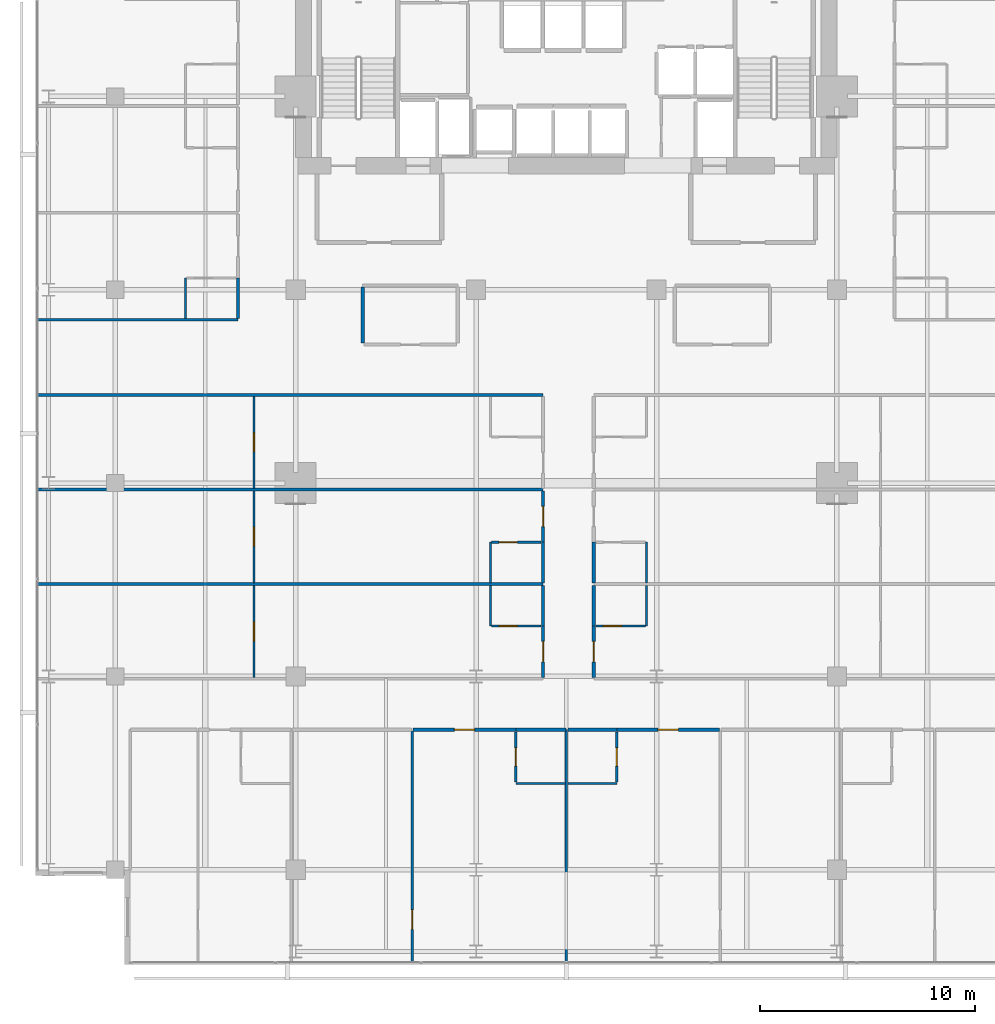
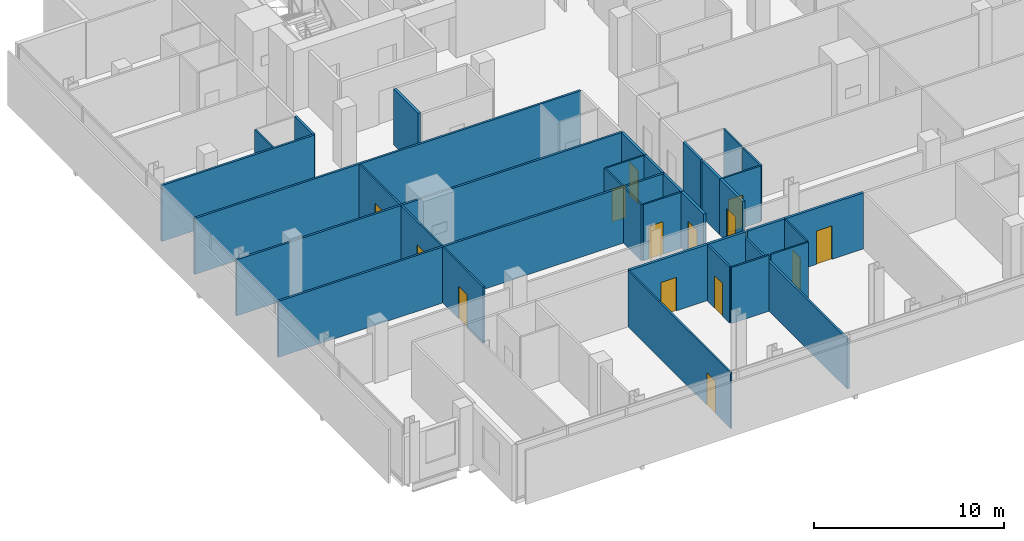
# One storey, part 27 of 34: 34 walls, 14 doors, 14 openings.
"""IFC4 building model written with IfcOpenShell, lengths in metres."""

from ifc_helpers import new_model, si_unit, direction, frame, frame_2d, origin, place, context, subcontext, project, spatial, rectangle, extrude, material, layer, layer_set, type_object, element, fill, save


model = new_model("IFC4")

# Units and contexts
model_context = context("Model", 3, precision=1e-05, world=origin(), true_north=direction((0.0, 1.0)))
body_context = subcontext(model_context, "Body", "Model", "MODEL_VIEW")
ifc_project = project(units=[si_unit("LENGTHUNIT", "METRE"), si_unit("AREAUNIT", "SQUARE_METRE"), si_unit("VOLUMEUNIT", "CUBIC_METRE"), si_unit("PLANEANGLEUNIT", "RADIAN"), si_unit("MASSUNIT", "GRAM", prefix="KILO")], contexts=[model_context])

# Site, building, storey
site_placement = place(None, origin())
site = spatial("IfcSite", under=ifc_project, at=site_placement, CompositionType="ELEMENT")
building_placement = place(site_placement, origin())
building = spatial("IfcBuilding", under=site, at=building_placement, Name="Maruvema Waterfront Hotel and Observation Tower", CompositionType="ELEMENT")
storey_placement = place(building_placement, frame((0.0, 0.0, 212.10009765625)))
storey = spatial("IfcBuildingStorey", under=building, at=storey_placement, Name="L52", CompositionType="ELEMENT", Elevation=212.10009765625)

# Walls
ifc_material_1 = material(Name="Twin-stud acoustic gypsum drywall", Category="gypsum")
ifc_layer_1 = layer(ifc_material_1, 0.14990234375, Name="Acoustic Corridor and Suite Demising Wall 150 mm")
ifc_layer_set_1 = layer_set([ifc_layer_1], Name="Twin-stud acoustic gypsum drywall")
wall_type_1 = type_object("IfcWallType", Name="Acoustic Corridor and Suite Demising Wall 150 mm", PredefinedType="PARTITIONING", material=ifc_layer_set_1)
wall_1_placement = place(storey_placement, frame((28.320068359375, 33.530029296875, 0.0), z_axis=(0.0, 0.0, 1.0), x_axis=(0.0, 1.0, 0.0)))
element("IfcWall", 1, at=wall_1_placement, inside=storey, type_object=wall_type_1, Name="L52 L52-M1 West Wall 018", PredefinedType="PARTITIONING", context=body_context, shape_type="SweptSolid", body=[
    extrude(rectangle(XDim=2.590087890625, YDim=0.14990234375, at=frame_2d((1.294921875, 0.0))), origin(), (0.0, 0.0, 1.0), 3.60986328125),
])
wall_2_placement = place(storey_placement, frame((35.449951171875, 15.52001953125, 0.0), z_axis=(0.0, 0.0, 1.0), x_axis=(1.0, 0.0, 0.0)))
element("IfcWall", 2, at=wall_2_placement, inside=storey, type_object=wall_type_1, Name="L52 Bath L52-S2 Back Wall 034", PredefinedType="PARTITIONING", context=body_context, shape_type="SweptSolid", body=[
    extrude(rectangle(XDim=2.330078125, YDim=0.14990234375, at=frame_2d((1.1650390625, 0.0))), origin(), (0.0, 0.0, 1.0), 3.60986328125),
])

# Wall, opening, door
wall_3_placement = place(storey_placement, frame((30.672119140625, 15.52001953125, 0.0), z_axis=(0.0, 0.0, 1.0), x_axis=(1.0, 0.0, 0.0)))
wall_3 = element("IfcWall", 3, at=wall_3_placement, inside=storey, type_object=wall_type_1, Name="L52 Unit L52-S2 Corridor Wall 038", PredefinedType="PARTITIONING", context=body_context, shape_type="SweptSolid", body=[
    extrude(rectangle(XDim=4.77783203125, YDim=0.14990234375, at=frame_2d((2.388916015625, 0.0))), origin(), (0.0, 0.0, 1.0), 3.60986328125),
])
opening_1_placement = place(wall_3_placement, frame((1.9140625, 0.0, 0.0)))
opening_1 = element("IfcOpeningElement", 4, at=opening_1_placement, cuts=wall_3, Name="Opening DR-095", PredefinedType="OPENING", context=body_context, shape_type="SweptSolid", body=[
    extrude(rectangle(XDim=0.949951171875, YDim=2.14990234375, at=frame_2d((0.47509765625, 1.074951171875))), frame((0.0, 0.0849609375, 0.0), z_axis=(0.0, -1.0, 0.0), x_axis=(1.0, 0.0, 0.0)), (0.0, 0.0, 1.0), 0.169921875),
])
ifc_material_2 = material(Name="Acoustic solid-core hardwood timber leaf", Category="wood")
door_type_1 = type_object("IfcDoorType", Name="Guestroom Entrance Fire Door 950x2150 mm", OperationType="NOTDEFINED", PredefinedType="DOOR", material=ifc_material_2)
door_1_placement = place(opening_1_placement, frame((0.949951171875, 0.0, 0.0), z_axis=(0.0, 0.0, 1.0), x_axis=(-1.0, 0.0, 0.0)))
door_1 = element("IfcDoor", 5, at=door_1_placement, inside=storey, type_object=door_type_1, Name="L52 Unit L52-S2 Entrance Door", OperationType="SINGLE_SWING_LEFT", OverallHeight=2.14990234375, OverallWidth=0.949951171875, PredefinedType="DOOR", context=body_context, shape_type="SweptSolid", body=[
    extrude(rectangle(XDim=0.949951171875, YDim=2.14990234375, at=frame_2d((0.47509765625, 1.074951171875))), frame((0.0, 0.02490234375, 0.0), z_axis=(0.0, -1.0, 0.0), x_axis=(1.0, 0.0, 0.0)), (0.0, 0.0, 1.0), 0.050048828125),
])
fill(opening_1, door_1)

# Wall
wall_4_placement = place(storey_placement, frame((37.8798828125, 15.52001953125, 0.0), z_axis=(0.0, 0.0, 1.0), x_axis=(1.0, 0.0, 0.0)))
element("IfcWall", 6, at=wall_4_placement, inside=storey, type_object=wall_type_1, Name="L52 Bath L52-S3 Back Wall 041", PredefinedType="PARTITIONING", context=body_context, shape_type="SweptSolid", body=[
    extrude(rectangle(XDim=2.27001953125, YDim=0.14990234375, at=frame_2d((1.135009765625, 0.0))), origin(), (0.0, 0.0, 1.0), 3.60986328125),
])

# Wall, opening, door
wall_5_placement = place(storey_placement, frame((40.14990234375, 15.52001953125, 0.0), z_axis=(0.0, 0.0, 1.0), x_axis=(1.0, 0.0, 0.0)))
wall_5 = element("IfcWall", 7, at=wall_5_placement, inside=storey, type_object=wall_type_1, Name="L52 Unit L52-S3 Corridor Wall 044", PredefinedType="PARTITIONING", context=body_context, shape_type="SweptSolid", body=[
    extrude(rectangle(XDim=4.778076171875, YDim=0.14990234375, at=frame_2d((2.38916015625, 0.0))), origin(), (0.0, 0.0, 1.0), 3.60986328125),
])
opening_2_placement = place(wall_5_placement, frame((1.9140625, 0.0, 0.0)))
opening_2 = element("IfcOpeningElement", 8, at=opening_2_placement, cuts=wall_5, Name="Opening DR-095", PredefinedType="OPENING", context=body_context, shape_type="SweptSolid", body=[
    extrude(rectangle(XDim=0.949951171875, YDim=2.14990234375, at=frame_2d((0.47509765625, 1.074951171875))), frame((0.0, 0.0849609375, 0.0), z_axis=(0.0, -1.0, 0.0), x_axis=(1.0, 0.0, 0.0)), (0.0, 0.0, 1.0), 0.169921875),
])
door_2_placement = place(opening_2_placement, frame((0.949951171875, 0.0, 0.0), z_axis=(0.0, 0.0, 1.0), x_axis=(-1.0, 0.0, 0.0)))
door_2 = element("IfcDoor", 9, at=door_2_placement, inside=storey, type_object=door_type_1, Name="L52 Unit L52-S3 Entrance Door", OperationType="SINGLE_SWING_RIGHT", OverallHeight=2.14990234375, OverallWidth=0.949951171875, PredefinedType="DOOR", context=body_context, shape_type="SweptSolid", body=[
    extrude(rectangle(XDim=0.949951171875, YDim=2.14990234375, at=frame_2d((0.47509765625, 1.074951171875))), frame((0.0, 0.02490234375, 0.0), z_axis=(0.0, -1.0, 0.0), x_axis=(1.0, 0.0, 0.0)), (0.0, 0.0, 1.0), 0.050048828125),
])
fill(opening_2, door_2)

wall_6_placement = place(storey_placement, frame((36.719970703125, 17.9599609375, 0.0), z_axis=(0.0, 0.0, 1.0), x_axis=(0.0, 1.0, 0.0)))
wall_6 = element("IfcWall", 10, at=wall_6_placement, inside=storey, type_object=wall_type_1, Name="L52 Room L52-W1 Corridor Wall 058", PredefinedType="PARTITIONING", context=body_context, shape_type="SweptSolid", body=[
    extrude(rectangle(XDim=2.39013671875, YDim=0.14990234375, at=frame_2d((1.195068359375, 0.0))), origin(), (0.0, 0.0, 1.0), 3.60986328125),
])
opening_3_placement = place(wall_6_placement, frame((0.719970703125, 0.0, 0.0)))
opening_3 = element("IfcOpeningElement", 11, at=opening_3_placement, cuts=wall_6, Name="Opening DR-095", PredefinedType="OPENING", context=body_context, shape_type="SweptSolid", body=[
    extrude(rectangle(XDim=0.949951171875, YDim=2.14990234375, at=frame_2d((0.47509765625, 1.074951171875))), frame((0.0, 0.0849609375, 0.0), z_axis=(0.0, -1.0, 0.0), x_axis=(1.0, 0.0, 0.0)), (0.0, 0.0, 1.0), 0.169921875),
])
door_3_placement = place(opening_3_placement, origin())
door_3 = element("IfcDoor", 12, at=door_3_placement, inside=storey, type_object=door_type_1, Name="L52 Room L52-W1 Entrance Door", OperationType="SINGLE_SWING_RIGHT", OverallHeight=2.14990234375, OverallWidth=0.949951171875, PredefinedType="DOOR", context=body_context, shape_type="SweptSolid", body=[
    extrude(rectangle(XDim=0.949951171875, YDim=2.14990234375, at=frame_2d((0.47509765625, 1.074951171875))), frame((0.0, 0.02490234375, 0.0), z_axis=(0.0, -1.0, 0.0), x_axis=(1.0, 0.0, 0.0)), (0.0, 0.0, 1.0), 0.050048828125),
])
fill(opening_3, door_3)

# Wall
wall_7_placement = place(storey_placement, frame((36.719970703125, 20.35009765625, 0.0), z_axis=(0.0, 0.0, 1.0), x_axis=(0.0, 1.0, 0.0)))
element("IfcWall", 13, at=wall_7_placement, inside=storey, type_object=wall_type_1, Name="L52 Bath L52-W1 Wall 059", PredefinedType="PARTITIONING", context=body_context, shape_type="SweptSolid", body=[
    extrude(rectangle(XDim=1.889892578125, YDim=0.14990234375, at=frame_2d((0.94482421875, 0.0))), origin(), (0.0, 0.0, 1.0), 3.60986328125),
])

# Wall, opening, door
wall_8_placement = place(storey_placement, frame((39.080078125, 17.9599609375, 0.0), z_axis=(0.0, 0.0, 1.0), x_axis=(0.0, 1.0, 0.0)))
wall_8 = element("IfcWall", 14, at=wall_8_placement, inside=storey, type_object=wall_type_1, Name="L52 Room L52-E1 Corridor Wall 063", PredefinedType="PARTITIONING", context=body_context, shape_type="SweptSolid", body=[
    extrude(rectangle(XDim=2.39013671875, YDim=0.14990234375, at=frame_2d((1.195068359375, 0.0))), origin(), (0.0, 0.0, 1.0), 3.60986328125),
])
opening_4_placement = place(wall_8_placement, frame((0.719970703125, 0.0, 0.0)))
opening_4 = element("IfcOpeningElement", 15, at=opening_4_placement, cuts=wall_8, Name="Opening DR-095", PredefinedType="OPENING", context=body_context, shape_type="SweptSolid", body=[
    extrude(rectangle(XDim=0.949951171875, YDim=2.14990234375, at=frame_2d((0.47509765625, 1.074951171875))), frame((0.0, 0.0849609375, 0.0), z_axis=(0.0, -1.0, 0.0), x_axis=(1.0, 0.0, 0.0)), (0.0, 0.0, 1.0), 0.169921875),
])
door_4_placement = place(opening_4_placement, frame((0.949951171875, 0.0, 0.0), z_axis=(0.0, 0.0, 1.0), x_axis=(-1.0, 0.0, 0.0)))
door_4 = element("IfcDoor", 16, at=door_4_placement, inside=storey, type_object=door_type_1, Name="L52 Room L52-E1 Entrance Door", OperationType="SINGLE_SWING_LEFT", OverallHeight=2.14990234375, OverallWidth=0.949951171875, PredefinedType="DOOR", context=body_context, shape_type="SweptSolid", body=[
    extrude(rectangle(XDim=0.949951171875, YDim=2.14990234375, at=frame_2d((0.47509765625, 1.074951171875))), frame((0.0, 0.02490234375, 0.0), z_axis=(0.0, -1.0, 0.0), x_axis=(1.0, 0.0, 0.0)), (0.0, 0.0, 1.0), 0.050048828125),
])
fill(opening_4, door_4)

# Walls
for number, where, z_axis, x_axis, name in (
    (17, (39.080078125, 20.35009765625, 0.0), (0.0, 0.0, 1.0), (0.0, 1.0, 0.0), "L52 Bath L52-E1 Wall 064"),
    (18, (36.719970703125, 22.360107421875, 0.0), (0.0, 0.0, 1.0), (0.0, 1.0, 0.0), "L52 Bath L52-W2 Wall 070"),
):
    element("IfcWall", number, at=place(storey_placement, frame(where, z_axis=z_axis, x_axis=x_axis)), inside=storey, type_object=wall_type_1, Name=name, PredefinedType="PARTITIONING", context=body_context, shape_type="SweptSolid", body=[
        extrude(rectangle(XDim=1.889892578125, YDim=0.14990234375, at=frame_2d((0.94482421875, 0.0))), origin(), (0.0, 0.0, 1.0), 3.60986328125),
    ])

# Wall, opening, door
wall_9_placement = place(storey_placement, frame((36.719970703125, 24.25, 0.0), z_axis=(0.0, 0.0, 1.0), x_axis=(0.0, 1.0, 0.0)))
wall_9 = element("IfcWall", 19, at=wall_9_placement, inside=storey, type_object=wall_type_1, Name="L52 Room L52-W2 Corridor Wall 071", PredefinedType="PARTITIONING", context=body_context, shape_type="SweptSolid", body=[
    extrude(rectangle(XDim=2.389892578125, YDim=0.14990234375, at=frame_2d((1.19482421875, 0.0))), origin(), (0.0, 0.0, 1.0), 3.60986328125),
])
opening_5_placement = place(wall_9_placement, frame((0.719970703125, 0.0, 0.0)))
opening_5 = element("IfcOpeningElement", 20, at=opening_5_placement, cuts=wall_9, Name="Opening DR-095", PredefinedType="OPENING", context=body_context, shape_type="SweptSolid", body=[
    extrude(rectangle(XDim=0.949951171875, YDim=2.14990234375, at=frame_2d((0.47509765625, 1.074951171875))), frame((0.0, 0.0849609375, 0.0), z_axis=(0.0, -1.0, 0.0), x_axis=(1.0, 0.0, 0.0)), (0.0, 0.0, 1.0), 0.169921875),
])
door_5_placement = place(opening_5_placement, origin())
door_5 = element("IfcDoor", 21, at=door_5_placement, inside=storey, type_object=door_type_1, Name="L52 Room L52-W2 Entrance Door", OperationType="SINGLE_SWING_RIGHT", OverallHeight=2.14990234375, OverallWidth=0.949951171875, PredefinedType="DOOR", context=body_context, shape_type="SweptSolid", body=[
    extrude(rectangle(XDim=0.949951171875, YDim=2.14990234375, at=frame_2d((0.47509765625, 1.074951171875))), frame((0.0, 0.02490234375, 0.0), z_axis=(0.0, -1.0, 0.0), x_axis=(1.0, 0.0, 0.0)), (0.0, 0.0, 1.0), 0.050048828125),
])
fill(opening_5, door_5)

# Walls
wall_10_placement = place(storey_placement, frame((39.080078125, 22.360107421875, 0.0), z_axis=(0.0, 0.0, 1.0), x_axis=(0.0, 1.0, 0.0)))
element("IfcWall", 22, at=wall_10_placement, inside=storey, type_object=wall_type_1, Name="L52 Bath L52-E2 Wall 075", PredefinedType="PARTITIONING", context=body_context, shape_type="SweptSolid", body=[
    extrude(rectangle(XDim=1.889892578125, YDim=0.14990234375, at=frame_2d((0.94482421875, 0.0))), origin(), (0.0, 0.0, 1.0), 3.60986328125),
])
wall_11_placement = place(storey_placement, frame((22.52001953125, 34.659912109375, 0.0), z_axis=(0.0, 0.0, 1.0), x_axis=(0.0, 1.0, 0.0)))
element("IfcWall", 23, at=wall_11_placement, inside=storey, type_object=wall_type_1, Name="L52 Bath L52-NW1 Wall 096", PredefinedType="PARTITIONING", context=body_context, shape_type="SweptSolid", body=[
    extrude(rectangle(XDim=1.89013671875, YDim=0.14990234375, at=frame_2d((0.945068359375, 0.0))), origin(), (0.0, 0.0, 1.0), 3.60986328125),
])
ifc_material_3 = material(Name="Moisture-resistant cement-board drywall", Category="gypsum")
ifc_layer_2 = layer(ifc_material_3, 0.10009765625, Name="En-Suite Moisture-Resistant Partition 100 mm")
ifc_layer_set_2 = layer_set([ifc_layer_2], Name="Moisture-resistant cement-board drywall")
wall_type_2 = type_object("IfcWallType", Name="En-Suite Moisture-Resistant Partition 100 mm", PredefinedType="PARTITIONING", material=ifc_layer_set_2)
wall_12_placement = place(storey_placement, frame((35.449951171875, 13.02001953125, 0.0), z_axis=(0.0, 0.0, 1.0), x_axis=(1.0, 0.0, 0.0)))
element("IfcWall", 24, at=wall_12_placement, inside=storey, type_object=wall_type_2, Name="L52 En-Suite L52-S2 South 035", PredefinedType="PARTITIONING", context=body_context, shape_type="SweptSolid", body=[
    extrude(rectangle(XDim=2.31005859375, YDim=0.10009765625, at=frame_2d((1.155029296875, 0.0))), origin(), (0.0, 0.0, 1.0), 3.60986328125),
])

# Wall, opening, door
wall_13_placement = place(storey_placement, frame((35.449951171875, 13.080078125, 0.0), z_axis=(0.0, 0.0, 1.0), x_axis=(0.0, 1.0, 0.0)))
wall_13 = element("IfcWall", 25, at=wall_13_placement, inside=storey, type_object=wall_type_2, Name="L52 En-Suite L52-S2 West 036", PredefinedType="PARTITIONING", context=body_context, shape_type="SweptSolid", body=[
    extrude(rectangle(XDim=2.33984375, YDim=0.10009765625, at=frame_2d((1.169921875, 0.0))), origin(), (0.0, 0.0, 1.0), 3.60986328125),
])
opening_6_placement = place(wall_13_placement, frame((0.7451171875, 0.0, 0.0)))
opening_6 = element("IfcOpeningElement", 26, at=opening_6_placement, cuts=wall_13, Name="Opening DR-085", PredefinedType="OPENING", context=body_context, shape_type="SweptSolid", body=[
    extrude(rectangle(XDim=0.85009765625, YDim=2.10009765625, at=frame_2d((0.425048828125, 1.050048828125))), frame((0.0, 0.06005859375, 0.0), z_axis=(0.0, -1.0, 0.0), x_axis=(1.0, 0.0, 0.0)), (0.0, 0.0, 1.0), 0.1201171875),
])
ifc_material_4 = material(Name="Moisture-resistant solid timber leaf", Category="wood")
door_type_2 = type_object("IfcDoorType", Name="En-Suite Bathroom Door 850x2100 mm", OperationType="NOTDEFINED", PredefinedType="DOOR", material=ifc_material_4)
door_6_placement = place(opening_6_placement, origin())
door_6 = element("IfcDoor", 27, at=door_6_placement, inside=storey, type_object=door_type_2, Name="L52 En-Suite L52-S2 Door", OperationType="SINGLE_SWING_RIGHT", OverallHeight=2.10009765625, OverallWidth=0.85009765625, PredefinedType="DOOR", context=body_context, shape_type="SweptSolid", body=[
    extrude(rectangle(XDim=0.85009765625, YDim=2.10009765625, at=frame_2d((0.425048828125, 1.050048828125))), frame((0.0, 0.02490234375, 0.0), z_axis=(0.0, -1.0, 0.0), x_axis=(1.0, 0.0, 0.0)), (0.0, 0.0, 1.0), 0.050048828125),
])
fill(opening_6, door_6)

wall_14_placement = place(storey_placement, frame((30.632080078125, 4.6298828125, 0.0), z_axis=(0.0, 0.0, 1.0), x_axis=(0.0, 1.0, 0.0)))
wall_14 = element("IfcWall", 28, at=wall_14_placement, inside=storey, type_object=wall_type_2, Name="L52 Suite L52-S2 Split 039", PredefinedType="PARTITIONING", context=body_context, shape_type="SweptSolid", body=[
    extrude(rectangle(XDim=10.830078125, YDim=0.10009765625, at=frame_2d((5.4150390625, 0.0))), origin(), (0.0, 0.0, 1.0), 3.60986328125),
])
opening_7_placement = place(wall_14_placement, frame((1.60009765625, 0.0, 0.0)))
opening_7 = element("IfcOpeningElement", 29, at=opening_7_placement, cuts=wall_14, Name="Opening DR-090", PredefinedType="OPENING", context=body_context, shape_type="SweptSolid", body=[
    extrude(rectangle(XDim=0.89990234375, YDim=2.10009765625, at=frame_2d((0.449951171875, 1.050048828125))), frame((0.0, 0.06005859375, 0.0), z_axis=(0.0, -1.0, 0.0), x_axis=(1.0, 0.0, 0.0)), (0.0, 0.0, 1.0), 0.1201171875),
])
ifc_material_5 = material(Name="Solid-core lacquered timber leaf", Category="wood")
door_type_3 = type_object("IfcDoorType", Name="Accessible Toilet and Room Door 900x2100 mm", OperationType="NOTDEFINED", PredefinedType="DOOR", material=ifc_material_5)
door_7_placement = place(opening_7_placement, frame((0.89990234375, 0.0, 0.0), z_axis=(0.0, 0.0, 1.0), x_axis=(-1.0, 0.0, 0.0)))
door_7 = element("IfcDoor", 30, at=door_7_placement, inside=storey, type_object=door_type_3, Name="L52 Suite L52-S2 Bedroom Door", OperationType="SINGLE_SWING_RIGHT", OverallHeight=2.10009765625, OverallWidth=0.89990234375, PredefinedType="DOOR", context=body_context, shape_type="SweptSolid", body=[
    extrude(rectangle(XDim=0.89990234375, YDim=2.10009765625, at=frame_2d((0.449951171875, 1.050048828125))), frame((0.0, 0.02490234375, 0.0), z_axis=(0.0, -1.0, 0.0), x_axis=(1.0, 0.0, 0.0)), (0.0, 0.0, 1.0), 0.050048828125),
])
fill(opening_7, door_7)

# Wall
wall_15_placement = place(storey_placement, frame((37.8798828125, 13.02001953125, 0.0), z_axis=(0.0, 0.0, 1.0), x_axis=(1.0, 0.0, 0.0)))
element("IfcWall", 31, at=wall_15_placement, inside=storey, type_object=wall_type_2, Name="L52 En-Suite L52-S3 South 042", PredefinedType="PARTITIONING", context=body_context, shape_type="SweptSolid", body=[
    extrude(rectangle(XDim=2.27001953125, YDim=0.10009765625, at=frame_2d((1.135009765625, 0.0))), origin(), (0.0, 0.0, 1.0), 3.60986328125),
])

# Wall, opening, door
wall_16_placement = place(storey_placement, frame((40.14990234375, 13.080078125, 0.0), z_axis=(0.0, 0.0, 1.0), x_axis=(0.0, 1.0, 0.0)))
wall_16 = element("IfcWall", 32, at=wall_16_placement, inside=storey, type_object=wall_type_2, Name="L52 En-Suite L52-S3 East 043", PredefinedType="PARTITIONING", context=body_context, shape_type="SweptSolid", body=[
    extrude(rectangle(XDim=2.33984375, YDim=0.10009765625, at=frame_2d((1.169921875, 0.0))), origin(), (0.0, 0.0, 1.0), 3.60986328125),
])
opening_8_placement = place(wall_16_placement, frame((0.7451171875, 0.0, 0.0)))
opening_8 = element("IfcOpeningElement", 33, at=opening_8_placement, cuts=wall_16, Name="Opening DR-085", PredefinedType="OPENING", context=body_context, shape_type="SweptSolid", body=[
    extrude(rectangle(XDim=0.85009765625, YDim=2.10009765625, at=frame_2d((0.425048828125, 1.050048828125))), frame((0.0, 0.06005859375, 0.0), z_axis=(0.0, -1.0, 0.0), x_axis=(1.0, 0.0, 0.0)), (0.0, 0.0, 1.0), 0.1201171875),
])
door_8_placement = place(opening_8_placement, frame((0.85009765625, 0.0, 0.0), z_axis=(0.0, 0.0, 1.0), x_axis=(-1.0, 0.0, 0.0)))
door_8 = element("IfcDoor", 34, at=door_8_placement, inside=storey, type_object=door_type_2, Name="L52 En-Suite L52-S3 Door", OperationType="SINGLE_SWING_LEFT", OverallHeight=2.10009765625, OverallWidth=0.85009765625, PredefinedType="DOOR", context=body_context, shape_type="SweptSolid", body=[
    extrude(rectangle(XDim=0.85009765625, YDim=2.10009765625, at=frame_2d((0.425048828125, 1.050048828125))), frame((0.0, 0.02490234375, 0.0), z_axis=(0.0, -1.0, 0.0), x_axis=(1.0, 0.0, 0.0)), (0.0, 0.0, 1.0), 0.050048828125),
])
fill(opening_8, door_8)

# Wall
wall_17_placement = place(storey_placement, frame((34.27001953125, 20.35009765625, 0.0), z_axis=(0.0, 0.0, 1.0), x_axis=(0.0, 1.0, 0.0)))
element("IfcWall", 35, at=wall_17_placement, inside=storey, type_object=wall_type_2, Name="L52 En-Suite L52-W1 W 060", PredefinedType="PARTITIONING", context=body_context, shape_type="SweptSolid", body=[
    extrude(rectangle(XDim=1.889892578125, YDim=0.10009765625, at=frame_2d((0.94482421875, 0.0))), origin(), (0.0, 0.0, 1.0), 3.60986328125),
])

# Wall, opening, door
wall_18_placement = place(storey_placement, frame((34.320068359375, 20.35009765625, 0.0), z_axis=(0.0, 0.0, 1.0), x_axis=(1.0, 0.0, 0.0)))
wall_18 = element("IfcWall", 36, at=wall_18_placement, inside=storey, type_object=wall_type_2, Name="L52 En-Suite L52-W1 S 061", PredefinedType="PARTITIONING", context=body_context, shape_type="SweptSolid", body=[
    extrude(rectangle(XDim=2.300048828125, YDim=0.10009765625, at=frame_2d((1.14990234375, 0.0))), origin(), (0.0, 0.0, 1.0), 3.60986328125),
])
opening_9_placement = place(wall_18_placement, frame((0.35009765625, 0.0, 0.0)))
opening_9 = element("IfcOpeningElement", 37, at=opening_9_placement, cuts=wall_18, Name="Opening DR-085", PredefinedType="OPENING", context=body_context, shape_type="SweptSolid", body=[
    extrude(rectangle(XDim=0.85009765625, YDim=2.10009765625, at=frame_2d((0.425048828125, 1.050048828125))), frame((0.0, 0.06005859375, 0.0), z_axis=(0.0, -1.0, 0.0), x_axis=(1.0, 0.0, 0.0)), (0.0, 0.0, 1.0), 0.1201171875),
])
door_9_placement = place(opening_9_placement, frame((0.85009765625, 0.0, 0.0), z_axis=(0.0, 0.0, 1.0), x_axis=(-1.0, 0.0, 0.0)))
door_9 = element("IfcDoor", 38, at=door_9_placement, inside=storey, type_object=door_type_2, Name="L52 En-Suite L52-W1 Door", OperationType="SINGLE_SWING_LEFT", OverallHeight=2.10009765625, OverallWidth=0.85009765625, PredefinedType="DOOR", context=body_context, shape_type="SweptSolid", body=[
    extrude(rectangle(XDim=0.85009765625, YDim=2.10009765625, at=frame_2d((0.425048828125, 1.050048828125))), frame((0.0, 0.02490234375, 0.0), z_axis=(0.0, -1.0, 0.0), x_axis=(1.0, 0.0, 0.0)), (0.0, 0.0, 1.0), 0.050048828125),
])
fill(opening_9, door_9)

wall_19_placement = place(storey_placement, frame((23.26171875, 17.9599609375, 0.0), z_axis=(0.0, 0.0, 1.0), x_axis=(0.0, 1.0, 0.0)))
wall_19 = element("IfcWall", 39, at=wall_19_placement, inside=storey, type_object=wall_type_2, Name="L52 Suite L52-W1 Split 062", PredefinedType="PARTITIONING", context=body_context, shape_type="SweptSolid", body=[
    extrude(rectangle(XDim=4.280029296875, YDim=0.10009765625, at=frame_2d((2.14013671875, 0.0))), origin(), (0.0, 0.0, 1.0), 3.60986328125),
])
opening_10_placement = place(wall_19_placement, frame((1.68994140625, 0.0, 0.0)))
opening_10 = element("IfcOpeningElement", 40, at=opening_10_placement, cuts=wall_19, Name="Opening DR-090", PredefinedType="OPENING", context=body_context, shape_type="SweptSolid", body=[
    extrude(rectangle(XDim=0.89990234375, YDim=2.10009765625, at=frame_2d((0.449951171875, 1.050048828125))), frame((0.0, 0.06005859375, 0.0), z_axis=(0.0, -1.0, 0.0), x_axis=(1.0, 0.0, 0.0)), (0.0, 0.0, 1.0), 0.1201171875),
])
door_10_placement = place(opening_10_placement, origin())
door_10 = element("IfcDoor", 41, at=door_10_placement, inside=storey, type_object=door_type_3, Name="L52 Suite L52-W1 Bedroom Door", OperationType="SINGLE_SWING_LEFT", OverallHeight=2.10009765625, OverallWidth=0.89990234375, PredefinedType="DOOR", context=body_context, shape_type="SweptSolid", body=[
    extrude(rectangle(XDim=0.89990234375, YDim=2.10009765625, at=frame_2d((0.449951171875, 1.050048828125))), frame((0.0, 0.02490234375, 0.0), z_axis=(0.0, -1.0, 0.0), x_axis=(1.0, 0.0, 0.0)), (0.0, 0.0, 1.0), 0.050048828125),
])
fill(opening_10, door_10)

# Wall
wall_20_placement = place(storey_placement, frame((41.530029296875, 20.35009765625, 0.0), z_axis=(0.0, 0.0, 1.0), x_axis=(0.0, 1.0, 0.0)))
element("IfcWall", 42, at=wall_20_placement, inside=storey, type_object=wall_type_2, Name="L52 En-Suite L52-E1 E 065", PredefinedType="PARTITIONING", context=body_context, shape_type="SweptSolid", body=[
    extrude(rectangle(XDim=1.889892578125, YDim=0.10009765625, at=frame_2d((0.94482421875, 0.0))), origin(), (0.0, 0.0, 1.0), 3.60986328125),
])

# Wall, opening, door
wall_21_placement = place(storey_placement, frame((39.179931640625, 20.35009765625, 0.0), z_axis=(0.0, 0.0, 1.0), x_axis=(1.0, 0.0, 0.0)))
wall_21 = element("IfcWall", 43, at=wall_21_placement, inside=storey, type_object=wall_type_2, Name="L52 En-Suite L52-E1 S 066", PredefinedType="PARTITIONING", context=body_context, shape_type="SweptSolid", body=[
    extrude(rectangle(XDim=2.300048828125, YDim=0.10009765625, at=frame_2d((1.14990234375, 0.0))), origin(), (0.0, 0.0, 1.0), 3.60986328125),
])
opening_11_placement = place(wall_21_placement, frame((0.35009765625, 0.0, 0.0)))
opening_11 = element("IfcOpeningElement", 44, at=opening_11_placement, cuts=wall_21, Name="Opening DR-085", PredefinedType="OPENING", context=body_context, shape_type="SweptSolid", body=[
    extrude(rectangle(XDim=0.85009765625, YDim=2.10009765625, at=frame_2d((0.425048828125, 1.050048828125))), frame((0.0, 0.06005859375, 0.0), z_axis=(0.0, -1.0, 0.0), x_axis=(1.0, 0.0, 0.0)), (0.0, 0.0, 1.0), 0.1201171875),
])
door_11_placement = place(opening_11_placement, frame((0.85009765625, 0.0, 0.0), z_axis=(0.0, 0.0, 1.0), x_axis=(-1.0, 0.0, 0.0)))
door_11 = element("IfcDoor", 45, at=door_11_placement, inside=storey, type_object=door_type_2, Name="L52 En-Suite L52-E1 Door", OperationType="SINGLE_SWING_RIGHT", OverallHeight=2.10009765625, OverallWidth=0.85009765625, PredefinedType="DOOR", context=body_context, shape_type="SweptSolid", body=[
    extrude(rectangle(XDim=0.85009765625, YDim=2.10009765625, at=frame_2d((0.425048828125, 1.050048828125))), frame((0.0, 0.02490234375, 0.0), z_axis=(0.0, -1.0, 0.0), x_axis=(1.0, 0.0, 0.0)), (0.0, 0.0, 1.0), 0.050048828125),
])
fill(opening_11, door_11)

# Wall
wall_22_placement = place(storey_placement, frame((34.27001953125, 22.360107421875, 0.0), z_axis=(0.0, 0.0, 1.0), x_axis=(0.0, 1.0, 0.0)))
element("IfcWall", 46, at=wall_22_placement, inside=storey, type_object=wall_type_2, Name="L52 En-Suite L52-W2 W 072", PredefinedType="PARTITIONING", context=body_context, shape_type="SweptSolid", body=[
    extrude(rectangle(XDim=1.889892578125, YDim=0.10009765625, at=frame_2d((0.94482421875, 0.0))), origin(), (0.0, 0.0, 1.0), 3.60986328125),
])

# Wall, opening, door
wall_23_placement = place(storey_placement, frame((34.320068359375, 24.25, 0.0), z_axis=(0.0, 0.0, 1.0), x_axis=(1.0, 0.0, 0.0)))
wall_23 = element("IfcWall", 47, at=wall_23_placement, inside=storey, type_object=wall_type_2, Name="L52 En-Suite L52-W2 N 073", PredefinedType="PARTITIONING", context=body_context, shape_type="SweptSolid", body=[
    extrude(rectangle(XDim=2.300048828125, YDim=0.10009765625, at=frame_2d((1.14990234375, 0.0))), origin(), (0.0, 0.0, 1.0), 3.60986328125),
])
opening_12_placement = place(wall_23_placement, frame((0.35009765625, 0.0, 0.0)))
opening_12 = element("IfcOpeningElement", 48, at=opening_12_placement, cuts=wall_23, Name="Opening DR-085", PredefinedType="OPENING", context=body_context, shape_type="SweptSolid", body=[
    extrude(rectangle(XDim=0.85009765625, YDim=2.10009765625, at=frame_2d((0.425048828125, 1.050048828125))), frame((0.0, 0.06005859375, 0.0), z_axis=(0.0, -1.0, 0.0), x_axis=(1.0, 0.0, 0.0)), (0.0, 0.0, 1.0), 0.1201171875),
])
door_12_placement = place(opening_12_placement, origin())
door_12 = element("IfcDoor", 49, at=door_12_placement, inside=storey, type_object=door_type_2, Name="L52 En-Suite L52-W2 Door", OperationType="SINGLE_SWING_LEFT", OverallHeight=2.10009765625, OverallWidth=0.85009765625, PredefinedType="DOOR", context=body_context, shape_type="SweptSolid", body=[
    extrude(rectangle(XDim=0.85009765625, YDim=2.10009765625, at=frame_2d((0.425048828125, 1.050048828125))), frame((0.0, 0.02490234375, 0.0), z_axis=(0.0, -1.0, 0.0), x_axis=(1.0, 0.0, 0.0)), (0.0, 0.0, 1.0), 0.050048828125),
])
fill(opening_12, door_12)

wall_24_placement = place(storey_placement, frame((23.26171875, 22.360107421875, 0.0), z_axis=(0.0, 0.0, 1.0), x_axis=(0.0, 1.0, 0.0)))
wall_24 = element("IfcWall", 50, at=wall_24_placement, inside=storey, type_object=wall_type_2, Name="L52 Suite L52-W2 Split 074", PredefinedType="PARTITIONING", context=body_context, shape_type="SweptSolid", body=[
    extrude(rectangle(XDim=4.27978515625, YDim=0.10009765625, at=frame_2d((2.139892578125, 0.0))), origin(), (0.0, 0.0, 1.0), 3.60986328125),
])
opening_13_placement = place(wall_24_placement, frame((1.68994140625, 0.0, 0.0)))
opening_13 = element("IfcOpeningElement", 51, at=opening_13_placement, cuts=wall_24, Name="Opening DR-090", PredefinedType="OPENING", context=body_context, shape_type="SweptSolid", body=[
    extrude(rectangle(XDim=0.89990234375, YDim=2.10009765625, at=frame_2d((0.449951171875, 1.050048828125))), frame((0.0, 0.06005859375, 0.0), z_axis=(0.0, -1.0, 0.0), x_axis=(1.0, 0.0, 0.0)), (0.0, 0.0, 1.0), 0.1201171875),
])
door_13_placement = place(opening_13_placement, origin())
door_13 = element("IfcDoor", 52, at=door_13_placement, inside=storey, type_object=door_type_3, Name="L52 Suite L52-W2 Bedroom Door", OperationType="SINGLE_SWING_LEFT", OverallHeight=2.10009765625, OverallWidth=0.89990234375, PredefinedType="DOOR", context=body_context, shape_type="SweptSolid", body=[
    extrude(rectangle(XDim=0.89990234375, YDim=2.10009765625, at=frame_2d((0.449951171875, 1.050048828125))), frame((0.0, 0.02490234375, 0.0), z_axis=(0.0, -1.0, 0.0), x_axis=(1.0, 0.0, 0.0)), (0.0, 0.0, 1.0), 0.050048828125),
])
fill(opening_13, door_13)

# Wall
wall_25_placement = place(storey_placement, frame((41.530029296875, 22.360107421875, 0.0), z_axis=(0.0, 0.0, 1.0), x_axis=(0.0, 1.0, 0.0)))
element("IfcWall", 53, at=wall_25_placement, inside=storey, type_object=wall_type_2, Name="L52 En-Suite L52-E2 E 077", PredefinedType="PARTITIONING", context=body_context, shape_type="SweptSolid", body=[
    extrude(rectangle(XDim=1.889892578125, YDim=0.10009765625, at=frame_2d((0.94482421875, 0.0))), origin(), (0.0, 0.0, 1.0), 3.60986328125),
])

# Wall, opening, door
wall_26_placement = place(storey_placement, frame((23.26171875, 26.760009765625, 0.0), z_axis=(0.0, 0.0, 1.0), x_axis=(0.0, 1.0, 0.0)))
wall_26 = element("IfcWall", 54, at=wall_26_placement, inside=storey, type_object=wall_type_2, Name="L52 Suite L52-W3 Split 086", PredefinedType="PARTITIONING", context=body_context, shape_type="SweptSolid", body=[
    extrude(rectangle(XDim=4.280029296875, YDim=0.10009765625, at=frame_2d((2.14013671875, 0.0))), origin(), (0.0, 0.0, 1.0), 3.60986328125),
])
opening_14_placement = place(wall_26_placement, frame((1.68994140625, 0.0, 0.0)))
opening_14 = element("IfcOpeningElement", 55, at=opening_14_placement, cuts=wall_26, Name="Opening DR-090", PredefinedType="OPENING", context=body_context, shape_type="SweptSolid", body=[
    extrude(rectangle(XDim=0.89990234375, YDim=2.10009765625, at=frame_2d((0.449951171875, 1.050048828125))), frame((0.0, 0.06005859375, 0.0), z_axis=(0.0, -1.0, 0.0), x_axis=(1.0, 0.0, 0.0)), (0.0, 0.0, 1.0), 0.1201171875),
])
door_14_placement = place(opening_14_placement, origin())
door_14 = element("IfcDoor", 56, at=door_14_placement, inside=storey, type_object=door_type_3, Name="L52 Suite L52-W3 Bedroom Door", OperationType="SINGLE_SWING_LEFT", OverallHeight=2.10009765625, OverallWidth=0.89990234375, PredefinedType="DOOR", context=body_context, shape_type="SweptSolid", body=[
    extrude(rectangle(XDim=0.89990234375, YDim=2.10009765625, at=frame_2d((0.449951171875, 1.050048828125))), frame((0.0, 0.02490234375, 0.0), z_axis=(0.0, -1.0, 0.0), x_axis=(1.0, 0.0, 0.0)), (0.0, 0.0, 1.0), 0.050048828125),
])
fill(opening_14, door_14)

# Walls
wall_27_placement = place(storey_placement, frame((20.070068359375, 34.659912109375, 0.0), z_axis=(0.0, 0.0, 1.0), x_axis=(0.0, 1.0, 0.0)))
element("IfcWall", 57, at=wall_27_placement, inside=storey, type_object=wall_type_2, Name="L52 En-Suite L52-NW1 W 098", PredefinedType="PARTITIONING", context=body_context, shape_type="SweptSolid", body=[
    extrude(rectangle(XDim=1.89013671875, YDim=0.10009765625, at=frame_2d((0.945068359375, 0.0))), origin(), (0.0, 0.0, 1.0), 3.60986328125),
])
ifc_material_6 = material(Name="Acoustic gypsum plasterboard drywall", Category="gypsum")
ifc_layer_3 = layer(ifc_material_6, 0.125, Name="Guestroom Acoustic Demising Wall 125 mm")
ifc_layer_set_3 = layer_set([ifc_layer_3], Name="Acoustic gypsum plasterboard drywall")
wall_type_3 = type_object("IfcWallType", Name="Guestroom Acoustic Demising Wall 125 mm", PredefinedType="PARTITIONING", material=ifc_layer_set_3)
wall_28_placement = place(storey_placement, frame((37.800048828125, 4.699951171875, 0.0), z_axis=(0.0, 0.0, 1.0), x_axis=(0.0, 1.0, 0.0)))
element("IfcWall", 58, at=wall_28_placement, inside=storey, type_object=wall_type_3, Name="L52 Z2 S Demising 3 040", PredefinedType="PARTITIONING", context=body_context, shape_type="SweptSolid", body=[
    extrude(rectangle(XDim=10.820068359375, YDim=0.125, at=frame_2d((5.41015625, 0.0))), origin(), (0.0, 0.0, 1.0), 3.206787109375),
])
for number, where, z_axis, x_axis, name in (
    (59, (13.199951171875, 31.10009765625, 0.0), (0.0, 0.0, 1.0), (1.0, 0.0, 0.0), "L52 Z2 W Top End 056"),
    (60, (13.199951171875, 22.300048828125, 0.0), (0.0, 0.0, 1.0), (1.0, 0.0, 0.0), "L52 Z2 W Demising 2 068"),
    (61, (13.199951171875, 26.699951171875, 0.0), (0.0, 0.0, 1.0), (1.0, 0.0, 0.0), "L52 Z2 W Demising 3 080"),
):
    element("IfcWall", number, at=place(storey_placement, frame(where, z_axis=z_axis, x_axis=x_axis)), inside=storey, type_object=wall_type_3, Name=name, PredefinedType="PARTITIONING", context=body_context, shape_type="SweptSolid", body=[
        extrude(rectangle(XDim=23.52001953125, YDim=0.125, at=frame_2d((11.760009765625, 0.0))), origin(), (0.0, 0.0, 1.0), 3.60986328125),
    ])
wall_29_placement = place(storey_placement, frame((13.199951171875, 34.60009765625, 0.0), z_axis=(0.0, 0.0, 1.0), x_axis=(1.0, 0.0, 0.0)))
element("IfcWall", 62, at=wall_29_placement, inside=storey, type_object=wall_type_3, Name="L52 Z2 NW Bot End 092", PredefinedType="PARTITIONING", context=body_context, shape_type="SweptSolid", body=[
    extrude(rectangle(XDim=9.320068359375, YDim=0.125, at=frame_2d((4.66015625, 0.0))), origin(), (0.0, 0.0, 1.0), 3.60986328125),
])

save(model, "model.ifc")
